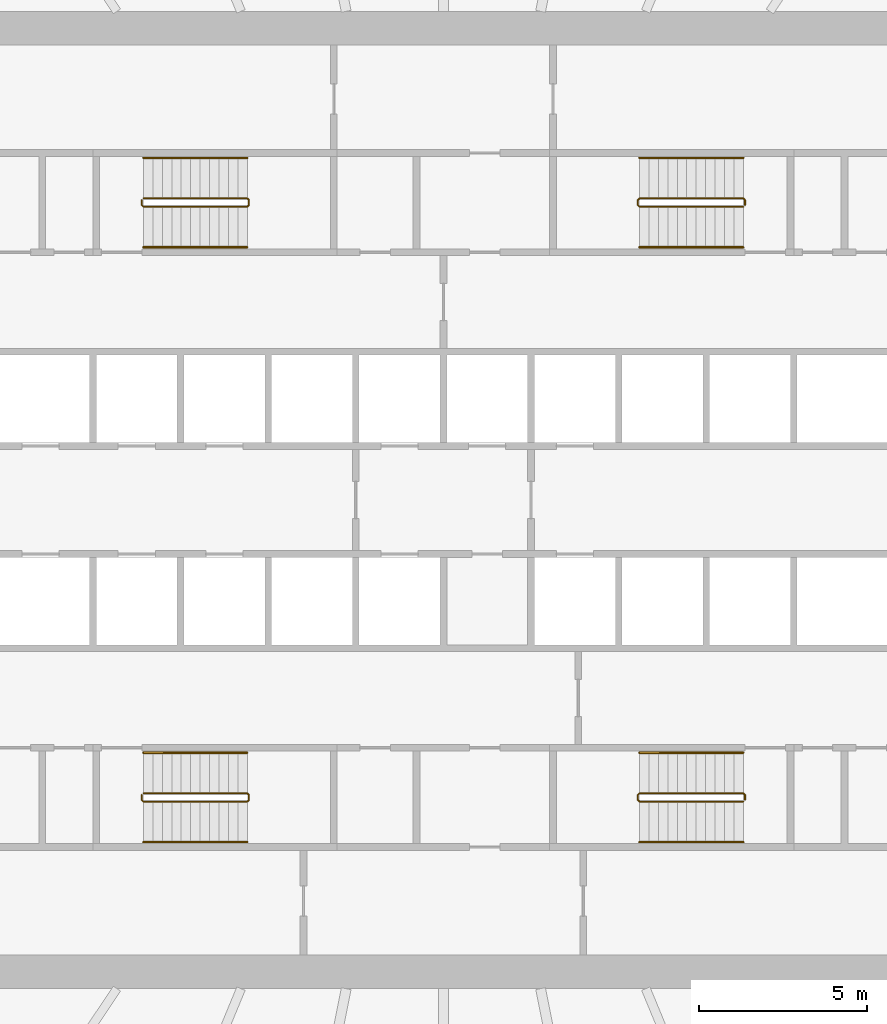
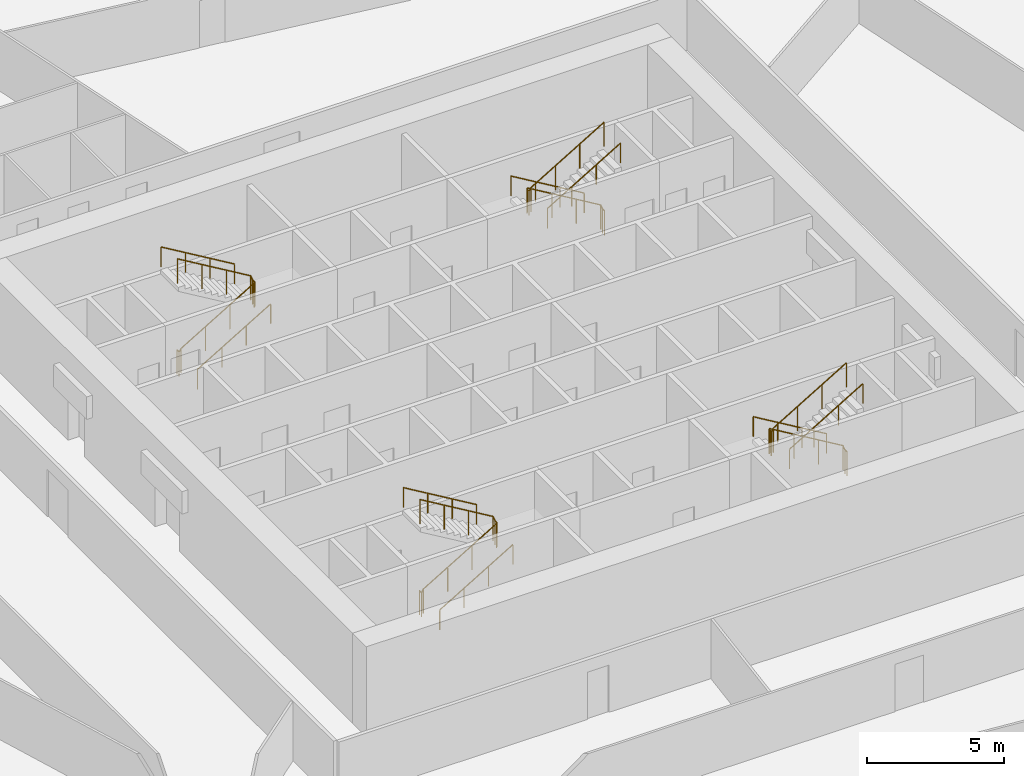
# One storey, part 8 of 8: 12 railings.
"""IFC4 building model written with IfcOpenShell, lengths in metres."""

from ifc_helpers import new_model, si_unit, direction, frame, origin, origin_2d, place, context, subcontext, project, spatial, circle, extrude, material, type_object, element, save


model = new_model("IFC4")

# Units and contexts
model_context = context("Model", 3, precision=1e-05, world=origin(), true_north=direction((0.0, 1.0)))
body_context = subcontext(model_context, "Body", "Model", "MODEL_VIEW")
ifc_project = project(units=[si_unit("LENGTHUNIT", "METRE"), si_unit("AREAUNIT", "SQUARE_METRE"), si_unit("VOLUMEUNIT", "CUBIC_METRE"), si_unit("PLANEANGLEUNIT", "RADIAN"), si_unit("MASSUNIT", "GRAM", prefix="KILO")], contexts=[model_context])

# Site, building, storey
site_placement = place(None, origin())
site = spatial("IfcSite", under=ifc_project, at=site_placement, CompositionType="ELEMENT")
building_placement = place(site_placement, origin())
building = spatial("IfcBuilding", under=site, at=building_placement, Name="Corvane Civic Tower", CompositionType="ELEMENT")
storey_placement = place(building_placement, frame((0.0, 0.0, 134.5)))
storey = spatial("IfcBuildingStorey", under=building, at=storey_placement, Name="L31", CompositionType="ELEMENT", Elevation=134.5)

# Railings
ifc_material_1 = material(Name="Steel ASTM A572 Gr 50", Category="steel")
railing_type_1 = type_object("IfcRailingType", Name="ST-GUARD-1100", PredefinedType="GUARDRAIL", material=ifc_material_1)
railing_1_placement = place(storey_placement, frame((8.949951171875, 8.75, 0.0)))
element("IfcRailing", 1, at=railing_1_placement, inside=storey, type_object=railing_type_1, Name="L31 ST1 stair guard 1", PredefinedType="GUARDRAIL", context=body_context, shape_type="SweptSolid", body=[
    extrude(circle(Radius=0.02392578125, at=origin_2d()), frame((0.0, 0.0, 1.076171875), z_axis=(0.0, 1.0, 0.0), x_axis=(-1.0, 0.0, 0.0)), (0.0, 0.0, 1.0), 0.14990234375),
    extrude(circle(Radius=0.02392578125, at=origin_2d()), frame((0.0, 0.14990234375, 1.076171875), z_axis=(-0.27628659633, 0.27628659633, 0.920506074601), x_axis=(-0.707106781187, -0.707106781187, 0.0)), (0.0, 0.0, 1.0), 0.18115234375),
    extrude(circle(Radius=0.02392578125, at=origin_2d()), frame((-0.050048828125, 0.199951171875, 1.24267578125), z_axis=(-0.859290745958, 0.0, 0.51148745235), x_axis=(0.0, -1.0, 0.0)), (0.0, 0.0, 1.0), 3.584228515625),
    extrude(circle(Radius=0.02392578125, at=origin_2d()), frame((-3.1298828125, 0.199951171875, 3.076171875), z_axis=(-0.707106781187, -0.707106781187, 0.0), x_axis=(0.707106781187, -0.707106781187, 0.0)), (0.0, 0.0, 1.0), 0.07080078125),
    extrude(circle(Radius=0.02392578125, at=origin_2d()), frame((-3.179931640625, 0.14990234375, 3.076171875), z_axis=(0.0, -1.0, 0.0), x_axis=(1.0, 0.0, 0.0)), (0.0, 0.0, 1.0), 0.14990234375),
    extrude(circle(Radius=0.02392578125, at=origin_2d()), frame((-3.179931640625, 0.0, 3.076171875), z_axis=(0.27628659633, -0.27628659633, 0.920506074601), x_axis=(0.707106781187, 0.707106781187, 0.0)), (0.0, 0.0, 1.0), 0.18115234375),
    extrude(circle(Radius=0.02392578125, at=origin_2d()), frame((-3.1298828125, -0.050048828125, 3.24267578125), z_axis=(0.859290745958, 0.0, 0.51148745235), x_axis=(0.0, 1.0, 0.0)), (0.0, 0.0, 1.0), 3.584228515625),
    extrude(circle(Radius=0.02099609375, at=origin_2d()), origin(), (0.0, 0.0, 1.0), 1.052001953125),
    extrude(circle(Radius=0.02099609375, at=origin_2d()), frame((0.0, 0.14990234375, 0.0)), (0.0, 0.0, 1.0), 1.052001953125),
    extrude(circle(Radius=0.02099609375, at=origin_2d()), frame((-0.050048828125, 0.199951171875, 0.166748046875)), (0.0, 0.0, 1.0), 1.052001953125),
    extrude(circle(Radius=0.02099609375, at=origin_2d()), frame((-1.07666015625, 0.199951171875, 0.77783203125)), (0.0, 0.0, 1.0), 1.052001953125),
    extrude(circle(Radius=0.02099609375, at=origin_2d()), frame((-2.103271484375, 0.199951171875, 1.388916015625)), (0.0, 0.0, 1.0), 1.052001953125),
    extrude(circle(Radius=0.02099609375, at=origin_2d()), frame((-3.1298828125, 0.199951171875, 2.0)), (0.0, 0.0, 1.0), 1.052001953125),
    extrude(circle(Radius=0.02099609375, at=origin_2d()), frame((-3.179931640625, 0.14990234375, 2.0)), (0.0, 0.0, 1.0), 1.052001953125),
    extrude(circle(Radius=0.02099609375, at=origin_2d()), frame((-3.179931640625, 0.0, 2.0)), (0.0, 0.0, 1.0), 1.052001953125),
    extrude(circle(Radius=0.02099609375, at=origin_2d()), frame((-3.1298828125, -0.050048828125, 2.166748046875)), (0.0, 0.0, 1.0), 1.052001953125),
    extrude(circle(Radius=0.02099609375, at=origin_2d()), frame((-2.103271484375, -0.050048828125, 2.77783203125)), (0.0, 0.0, 1.0), 1.052001953125),
    extrude(circle(Radius=0.02099609375, at=origin_2d()), frame((-1.07666015625, -0.050048828125, 3.388916015625)), (0.0, 0.0, 1.0), 1.052001953125),
    extrude(circle(Radius=0.02099609375, at=origin_2d()), frame((-0.050048828125, -0.050048828125, 4.0)), (0.0, 0.0, 1.0), 1.052001953125),
])
railing_2_placement = place(storey_placement, frame((8.949951171875, -8.89990234375, 0.0)))
element("IfcRailing", 2, at=railing_2_placement, inside=storey, type_object=railing_type_1, Name="L31 ST2 stair guard 1", PredefinedType="GUARDRAIL", context=body_context, shape_type="SweptSolid", body=[
    extrude(circle(Radius=0.02392578125, at=origin_2d()), frame((0.0, 0.0, 1.076171875), z_axis=(0.0, 1.0, 0.0), x_axis=(-1.0, 0.0, 0.0)), (0.0, 0.0, 1.0), 0.14990234375),
    extrude(circle(Radius=0.02392578125, at=origin_2d()), frame((0.0, 0.14990234375, 1.076171875), z_axis=(-0.27628659633, 0.27628659633, 0.920506074601), x_axis=(-0.707106781187, -0.707106781187, 0.0)), (0.0, 0.0, 1.0), 0.18115234375),
    extrude(circle(Radius=0.02392578125, at=origin_2d()), frame((-0.050048828125, 0.199951171875, 1.24267578125), z_axis=(-0.859290745958, 0.0, 0.51148745235), x_axis=(0.0, -1.0, 0.0)), (0.0, 0.0, 1.0), 3.584228515625),
    extrude(circle(Radius=0.02392578125, at=origin_2d()), frame((-3.1298828125, 0.199951171875, 3.076171875), z_axis=(-0.707106781187, -0.707106781187, 0.0), x_axis=(0.707106781187, -0.707106781187, 0.0)), (0.0, 0.0, 1.0), 0.07080078125),
    extrude(circle(Radius=0.02392578125, at=origin_2d()), frame((-3.179931640625, 0.14990234375, 3.076171875), z_axis=(0.0, -1.0, 0.0), x_axis=(1.0, 0.0, 0.0)), (0.0, 0.0, 1.0), 0.14990234375),
    extrude(circle(Radius=0.02392578125, at=origin_2d()), frame((-3.179931640625, 0.0, 3.076171875), z_axis=(0.27628659633, -0.27628659633, 0.920506074601), x_axis=(0.707106781187, 0.707106781187, 0.0)), (0.0, 0.0, 1.0), 0.18115234375),
    extrude(circle(Radius=0.02392578125, at=origin_2d()), frame((-3.1298828125, -0.050048828125, 3.24267578125), z_axis=(0.859290745958, 0.0, 0.51148745235), x_axis=(0.0, 1.0, 0.0)), (0.0, 0.0, 1.0), 3.584228515625),
    extrude(circle(Radius=0.02099609375, at=origin_2d()), origin(), (0.0, 0.0, 1.0), 1.052001953125),
    extrude(circle(Radius=0.02099609375, at=origin_2d()), frame((0.0, 0.14990234375, 0.0)), (0.0, 0.0, 1.0), 1.052001953125),
    extrude(circle(Radius=0.02099609375, at=origin_2d()), frame((-0.050048828125, 0.199951171875, 0.166748046875)), (0.0, 0.0, 1.0), 1.052001953125),
    extrude(circle(Radius=0.02099609375, at=origin_2d()), frame((-1.07666015625, 0.199951171875, 0.77783203125)), (0.0, 0.0, 1.0), 1.052001953125),
    extrude(circle(Radius=0.02099609375, at=origin_2d()), frame((-2.103271484375, 0.199951171875, 1.388916015625)), (0.0, 0.0, 1.0), 1.052001953125),
    extrude(circle(Radius=0.02099609375, at=origin_2d()), frame((-3.1298828125, 0.199951171875, 2.0)), (0.0, 0.0, 1.0), 1.052001953125),
    extrude(circle(Radius=0.02099609375, at=origin_2d()), frame((-3.179931640625, 0.14990234375, 2.0)), (0.0, 0.0, 1.0), 1.052001953125),
    extrude(circle(Radius=0.02099609375, at=origin_2d()), frame((-3.179931640625, 0.0, 2.0)), (0.0, 0.0, 1.0), 1.052001953125),
    extrude(circle(Radius=0.02099609375, at=origin_2d()), frame((-3.1298828125, -0.050048828125, 2.166748046875)), (0.0, 0.0, 1.0), 1.052001953125),
    extrude(circle(Radius=0.02099609375, at=origin_2d()), frame((-2.103271484375, -0.050048828125, 2.77783203125)), (0.0, 0.0, 1.0), 1.052001953125),
    extrude(circle(Radius=0.02099609375, at=origin_2d()), frame((-1.07666015625, -0.050048828125, 3.388916015625)), (0.0, 0.0, 1.0), 1.052001953125),
    extrude(circle(Radius=0.02099609375, at=origin_2d()), frame((-0.050048828125, -0.050048828125, 4.0)), (0.0, 0.0, 1.0), 1.052001953125),
])
railing_3_placement = place(storey_placement, frame((-8.949951171875, -8.75, 0.0)))
element("IfcRailing", 3, at=railing_3_placement, inside=storey, type_object=railing_type_1, Name="L31 ST3 stair guard 1", PredefinedType="GUARDRAIL", context=body_context, shape_type="SweptSolid", body=[
    extrude(circle(Radius=0.02392578125, at=origin_2d()), frame((0.0, 0.0, 1.076171875), z_axis=(0.0, -1.0, 0.0), x_axis=(1.0, 0.0, 0.0)), (0.0, 0.0, 1.0), 0.14990234375),
    extrude(circle(Radius=0.02392578125, at=origin_2d()), frame((0.0, -0.14990234375, 1.076171875), z_axis=(0.27628659633, -0.27628659633, 0.920506074601), x_axis=(0.707106781187, 0.707106781187, 0.0)), (0.0, 0.0, 1.0), 0.18115234375),
    extrude(circle(Radius=0.02392578125, at=origin_2d()), frame((0.050048828125, -0.199951171875, 1.24267578125), z_axis=(0.859290745958, 0.0, 0.51148745235), x_axis=(0.0, 1.0, 0.0)), (0.0, 0.0, 1.0), 3.584228515625),
    extrude(circle(Radius=0.02392578125, at=origin_2d()), frame((3.1298828125, -0.199951171875, 3.076171875), z_axis=(0.707106781187, 0.707106781187, 0.0), x_axis=(-0.707106781187, 0.707106781187, 0.0)), (0.0, 0.0, 1.0), 0.07080078125),
    extrude(circle(Radius=0.02392578125, at=origin_2d()), frame((3.179931640625, -0.14990234375, 3.076171875), z_axis=(0.0, 1.0, 0.0), x_axis=(-1.0, 0.0, 0.0)), (0.0, 0.0, 1.0), 0.14990234375),
    extrude(circle(Radius=0.02392578125, at=origin_2d()), frame((3.179931640625, 0.0, 3.076171875), z_axis=(-0.27628659633, 0.27628659633, 0.920506074601), x_axis=(-0.707106781187, -0.707106781187, 0.0)), (0.0, 0.0, 1.0), 0.18115234375),
    extrude(circle(Radius=0.02392578125, at=origin_2d()), frame((3.1298828125, 0.050048828125, 3.24267578125), z_axis=(-0.859290745958, 0.0, 0.51148745235), x_axis=(0.0, -1.0, 0.0)), (0.0, 0.0, 1.0), 3.584228515625),
    extrude(circle(Radius=0.02099609375, at=origin_2d()), origin(), (0.0, 0.0, 1.0), 1.052001953125),
    extrude(circle(Radius=0.02099609375, at=origin_2d()), frame((0.0, -0.14990234375, 0.0)), (0.0, 0.0, 1.0), 1.052001953125),
    extrude(circle(Radius=0.02099609375, at=origin_2d()), frame((0.050048828125, -0.199951171875, 0.166748046875)), (0.0, 0.0, 1.0), 1.052001953125),
    extrude(circle(Radius=0.02099609375, at=origin_2d()), frame((1.07666015625, -0.199951171875, 0.77783203125)), (0.0, 0.0, 1.0), 1.052001953125),
    extrude(circle(Radius=0.02099609375, at=origin_2d()), frame((2.103271484375, -0.199951171875, 1.388916015625)), (0.0, 0.0, 1.0), 1.052001953125),
    extrude(circle(Radius=0.02099609375, at=origin_2d()), frame((3.1298828125, -0.199951171875, 2.0)), (0.0, 0.0, 1.0), 1.052001953125),
    extrude(circle(Radius=0.02099609375, at=origin_2d()), frame((3.179931640625, -0.14990234375, 2.0)), (0.0, 0.0, 1.0), 1.052001953125),
    extrude(circle(Radius=0.02099609375, at=origin_2d()), frame((3.179931640625, 0.0, 2.0)), (0.0, 0.0, 1.0), 1.052001953125),
    extrude(circle(Radius=0.02099609375, at=origin_2d()), frame((3.1298828125, 0.050048828125, 2.166748046875)), (0.0, 0.0, 1.0), 1.052001953125),
    extrude(circle(Radius=0.02099609375, at=origin_2d()), frame((2.103271484375, 0.050048828125, 2.77783203125)), (0.0, 0.0, 1.0), 1.052001953125),
    extrude(circle(Radius=0.02099609375, at=origin_2d()), frame((1.07666015625, 0.050048828125, 3.388916015625)), (0.0, 0.0, 1.0), 1.052001953125),
    extrude(circle(Radius=0.02099609375, at=origin_2d()), frame((0.050048828125, 0.050048828125, 4.0)), (0.0, 0.0, 1.0), 1.052001953125),
])
railing_4_placement = place(storey_placement, frame((-8.949951171875, 8.89990234375, 0.0)))
element("IfcRailing", 4, at=railing_4_placement, inside=storey, type_object=railing_type_1, Name="L31 ST4 stair guard 1", PredefinedType="GUARDRAIL", context=body_context, shape_type="SweptSolid", body=[
    extrude(circle(Radius=0.02392578125, at=origin_2d()), frame((0.0, 0.0, 1.076171875), z_axis=(0.0, -1.0, 0.0), x_axis=(1.0, 0.0, 0.0)), (0.0, 0.0, 1.0), 0.14990234375),
    extrude(circle(Radius=0.02392578125, at=origin_2d()), frame((0.0, -0.14990234375, 1.076171875), z_axis=(0.27628659633, -0.27628659633, 0.920506074601), x_axis=(0.707106781187, 0.707106781187, 0.0)), (0.0, 0.0, 1.0), 0.18115234375),
    extrude(circle(Radius=0.02392578125, at=origin_2d()), frame((0.050048828125, -0.199951171875, 1.24267578125), z_axis=(0.859290745958, 0.0, 0.51148745235), x_axis=(0.0, 1.0, 0.0)), (0.0, 0.0, 1.0), 3.584228515625),
    extrude(circle(Radius=0.02392578125, at=origin_2d()), frame((3.1298828125, -0.199951171875, 3.076171875), z_axis=(0.707106781187, 0.707106781187, 0.0), x_axis=(-0.707106781187, 0.707106781187, 0.0)), (0.0, 0.0, 1.0), 0.07080078125),
    extrude(circle(Radius=0.02392578125, at=origin_2d()), frame((3.179931640625, -0.14990234375, 3.076171875), z_axis=(0.0, 1.0, 0.0), x_axis=(-1.0, 0.0, 0.0)), (0.0, 0.0, 1.0), 0.14990234375),
    extrude(circle(Radius=0.02392578125, at=origin_2d()), frame((3.179931640625, 0.0, 3.076171875), z_axis=(-0.27628659633, 0.27628659633, 0.920506074601), x_axis=(-0.707106781187, -0.707106781187, 0.0)), (0.0, 0.0, 1.0), 0.18115234375),
    extrude(circle(Radius=0.02392578125, at=origin_2d()), frame((3.1298828125, 0.050048828125, 3.24267578125), z_axis=(-0.859290745958, 0.0, 0.51148745235), x_axis=(0.0, -1.0, 0.0)), (0.0, 0.0, 1.0), 3.584228515625),
    extrude(circle(Radius=0.02099609375, at=origin_2d()), origin(), (0.0, 0.0, 1.0), 1.052001953125),
    extrude(circle(Radius=0.02099609375, at=origin_2d()), frame((0.0, -0.14990234375, 0.0)), (0.0, 0.0, 1.0), 1.052001953125),
    extrude(circle(Radius=0.02099609375, at=origin_2d()), frame((0.050048828125, -0.199951171875, 0.166748046875)), (0.0, 0.0, 1.0), 1.052001953125),
    extrude(circle(Radius=0.02099609375, at=origin_2d()), frame((1.07666015625, -0.199951171875, 0.77783203125)), (0.0, 0.0, 1.0), 1.052001953125),
    extrude(circle(Radius=0.02099609375, at=origin_2d()), frame((2.103271484375, -0.199951171875, 1.388916015625)), (0.0, 0.0, 1.0), 1.052001953125),
    extrude(circle(Radius=0.02099609375, at=origin_2d()), frame((3.1298828125, -0.199951171875, 2.0)), (0.0, 0.0, 1.0), 1.052001953125),
    extrude(circle(Radius=0.02099609375, at=origin_2d()), frame((3.179931640625, -0.14990234375, 2.0)), (0.0, 0.0, 1.0), 1.052001953125),
    extrude(circle(Radius=0.02099609375, at=origin_2d()), frame((3.179931640625, 0.0, 2.0)), (0.0, 0.0, 1.0), 1.052001953125),
    extrude(circle(Radius=0.02099609375, at=origin_2d()), frame((3.1298828125, 0.050048828125, 2.166748046875)), (0.0, 0.0, 1.0), 1.052001953125),
    extrude(circle(Radius=0.02099609375, at=origin_2d()), frame((2.103271484375, 0.050048828125, 2.77783203125)), (0.0, 0.0, 1.0), 1.052001953125),
    extrude(circle(Radius=0.02099609375, at=origin_2d()), frame((1.07666015625, 0.050048828125, 3.388916015625)), (0.0, 0.0, 1.0), 1.052001953125),
    extrude(circle(Radius=0.02099609375, at=origin_2d()), frame((0.050048828125, 0.050048828125, 4.0)), (0.0, 0.0, 1.0), 1.052001953125),
])
ifc_material_2 = material(Name="Steel ASTM A572 Gr 50", Category="steel")
railing_type_2 = type_object("IfcRailingType", Name="ST-HANDRAIL-900", PredefinedType="HANDRAIL", material=ifc_material_2)
railing_5_placement = place(storey_placement, frame((8.89990234375, 10.14990234375, 0.166748046875)))
element("IfcRailing", 5, at=railing_5_placement, inside=storey, type_object=railing_type_2, Name="L31 ST1 stair handrail 1", PredefinedType="HANDRAIL", context=body_context, shape_type="SweptSolid", body=[
    extrude(circle(Radius=0.02392578125, at=origin_2d()), frame((0.0, 0.0, 0.8759765625), z_axis=(-0.859290745958, 0.0, 0.51148745235), x_axis=(0.0, -1.0, 0.0)), (0.0, 0.0, 1.0), 3.584228515625),
    extrude(circle(Radius=0.02099609375, at=origin_2d()), origin(), (0.0, 0.0, 1.0), 0.851806640625),
    extrude(circle(Radius=0.02099609375, at=origin_2d()), frame((-1.026611328125, 0.0, 0.611083984375)), (0.0, 0.0, 1.0), 0.851806640625),
    extrude(circle(Radius=0.02099609375, at=origin_2d()), frame((-2.05322265625, 0.0, 1.22216796875)), (0.0, 0.0, 1.0), 0.851806640625),
    extrude(circle(Radius=0.02099609375, at=origin_2d()), frame((-3.079833984375, 0.0, 1.833251953125)), (0.0, 0.0, 1.0), 0.851806640625),
])
railing_6_placement = place(storey_placement, frame((5.820068359375, 7.5, 2.166748046875)))
element("IfcRailing", 6, at=railing_6_placement, inside=storey, type_object=railing_type_2, Name="L31 ST1 stair handrail 2", PredefinedType="HANDRAIL", context=body_context, shape_type="SweptSolid", body=[
    extrude(circle(Radius=0.02392578125, at=origin_2d()), frame((0.0, 0.0, 0.8759765625), z_axis=(0.859290745958, 0.0, 0.51148745235), x_axis=(0.0, 1.0, 0.0)), (0.0, 0.0, 1.0), 3.584228515625),
    extrude(circle(Radius=0.02099609375, at=origin_2d()), origin(), (0.0, 0.0, 1.0), 0.851806640625),
    extrude(circle(Radius=0.02099609375, at=origin_2d()), frame((1.026611328125, 0.0, 0.611083984375)), (0.0, 0.0, 1.0), 0.851806640625),
    extrude(circle(Radius=0.02099609375, at=origin_2d()), frame((2.05322265625, 0.0, 1.22216796875)), (0.0, 0.0, 1.0), 0.851806640625),
    extrude(circle(Radius=0.02099609375, at=origin_2d()), frame((3.079833984375, 0.0, 1.833251953125)), (0.0, 0.0, 1.0), 0.851806640625),
])
railing_7_placement = place(storey_placement, frame((8.89990234375, -7.5, 0.166748046875)))
element("IfcRailing", 7, at=railing_7_placement, inside=storey, type_object=railing_type_2, Name="L31 ST2 stair handrail 1", PredefinedType="HANDRAIL", context=body_context, shape_type="SweptSolid", body=[
    extrude(circle(Radius=0.02392578125, at=origin_2d()), frame((0.0, 0.0, 0.8759765625), z_axis=(-0.859290745958, 0.0, 0.51148745235), x_axis=(0.0, -1.0, 0.0)), (0.0, 0.0, 1.0), 3.584228515625),
    extrude(circle(Radius=0.02099609375, at=origin_2d()), origin(), (0.0, 0.0, 1.0), 0.851806640625),
    extrude(circle(Radius=0.02099609375, at=origin_2d()), frame((-1.026611328125, 0.0, 0.611083984375)), (0.0, 0.0, 1.0), 0.851806640625),
    extrude(circle(Radius=0.02099609375, at=origin_2d()), frame((-2.05322265625, 0.0, 1.22216796875)), (0.0, 0.0, 1.0), 0.851806640625),
    extrude(circle(Radius=0.02099609375, at=origin_2d()), frame((-3.079833984375, 0.0, 1.833251953125)), (0.0, 0.0, 1.0), 0.851806640625),
])
for number, where, name in (
    (8, (5.820068359375, -10.14990234375, 2.166748046875), "L31 ST2 stair handrail 2"),
    (9, (-8.89990234375, -10.14990234375, 0.166748046875), "L31 ST3 stair handrail 1"),
):
    element("IfcRailing", number, at=place(storey_placement, frame(where)), inside=storey, type_object=railing_type_2, Name=name, PredefinedType="HANDRAIL", context=body_context, shape_type="SweptSolid", body=[
        extrude(circle(Radius=0.02392578125, at=origin_2d()), frame((0.0, 0.0, 0.8759765625), z_axis=(0.859290745958, 0.0, 0.51148745235), x_axis=(0.0, 1.0, 0.0)), (0.0, 0.0, 1.0), 3.584228515625),
        extrude(circle(Radius=0.02099609375, at=origin_2d()), origin(), (0.0, 0.0, 1.0), 0.851806640625),
        extrude(circle(Radius=0.02099609375, at=origin_2d()), frame((1.026611328125, 0.0, 0.611083984375)), (0.0, 0.0, 1.0), 0.851806640625),
        extrude(circle(Radius=0.02099609375, at=origin_2d()), frame((2.05322265625, 0.0, 1.22216796875)), (0.0, 0.0, 1.0), 0.851806640625),
        extrude(circle(Radius=0.02099609375, at=origin_2d()), frame((3.079833984375, 0.0, 1.833251953125)), (0.0, 0.0, 1.0), 0.851806640625),
    ])
railing_8_placement = place(storey_placement, frame((-5.820068359375, -7.5, 2.166748046875)))
element("IfcRailing", 10, at=railing_8_placement, inside=storey, type_object=railing_type_2, Name="L31 ST3 stair handrail 2", PredefinedType="HANDRAIL", context=body_context, shape_type="SweptSolid", body=[
    extrude(circle(Radius=0.02392578125, at=origin_2d()), frame((0.0, 0.0, 0.8759765625), z_axis=(-0.859290745958, 0.0, 0.51148745235), x_axis=(0.0, -1.0, 0.0)), (0.0, 0.0, 1.0), 3.584228515625),
    extrude(circle(Radius=0.02099609375, at=origin_2d()), origin(), (0.0, 0.0, 1.0), 0.851806640625),
    extrude(circle(Radius=0.02099609375, at=origin_2d()), frame((-1.026611328125, 0.0, 0.611083984375)), (0.0, 0.0, 1.0), 0.851806640625),
    extrude(circle(Radius=0.02099609375, at=origin_2d()), frame((-2.05322265625, 0.0, 1.22216796875)), (0.0, 0.0, 1.0), 0.851806640625),
    extrude(circle(Radius=0.02099609375, at=origin_2d()), frame((-3.079833984375, 0.0, 1.833251953125)), (0.0, 0.0, 1.0), 0.851806640625),
])
railing_9_placement = place(storey_placement, frame((-8.89990234375, 7.5, 0.166748046875)))
element("IfcRailing", 11, at=railing_9_placement, inside=storey, type_object=railing_type_2, Name="L31 ST4 stair handrail 1", PredefinedType="HANDRAIL", context=body_context, shape_type="SweptSolid", body=[
    extrude(circle(Radius=0.02392578125, at=origin_2d()), frame((0.0, 0.0, 0.8759765625), z_axis=(0.859290745958, 0.0, 0.51148745235), x_axis=(0.0, 1.0, 0.0)), (0.0, 0.0, 1.0), 3.584228515625),
    extrude(circle(Radius=0.02099609375, at=origin_2d()), origin(), (0.0, 0.0, 1.0), 0.851806640625),
    extrude(circle(Radius=0.02099609375, at=origin_2d()), frame((1.026611328125, 0.0, 0.611083984375)), (0.0, 0.0, 1.0), 0.851806640625),
    extrude(circle(Radius=0.02099609375, at=origin_2d()), frame((2.05322265625, 0.0, 1.22216796875)), (0.0, 0.0, 1.0), 0.851806640625),
    extrude(circle(Radius=0.02099609375, at=origin_2d()), frame((3.079833984375, 0.0, 1.833251953125)), (0.0, 0.0, 1.0), 0.851806640625),
])
railing_10_placement = place(storey_placement, frame((-5.820068359375, 10.14990234375, 2.166748046875)))
element("IfcRailing", 12, at=railing_10_placement, inside=storey, type_object=railing_type_2, Name="L31 ST4 stair handrail 2", PredefinedType="HANDRAIL", context=body_context, shape_type="SweptSolid", body=[
    extrude(circle(Radius=0.02392578125, at=origin_2d()), frame((0.0, 0.0, 0.8759765625), z_axis=(-0.859290745958, 0.0, 0.51148745235), x_axis=(0.0, -1.0, 0.0)), (0.0, 0.0, 1.0), 3.584228515625),
    extrude(circle(Radius=0.02099609375, at=origin_2d()), origin(), (0.0, 0.0, 1.0), 0.851806640625),
    extrude(circle(Radius=0.02099609375, at=origin_2d()), frame((-1.026611328125, 0.0, 0.611083984375)), (0.0, 0.0, 1.0), 0.851806640625),
    extrude(circle(Radius=0.02099609375, at=origin_2d()), frame((-2.05322265625, 0.0, 1.22216796875)), (0.0, 0.0, 1.0), 0.851806640625),
    extrude(circle(Radius=0.02099609375, at=origin_2d()), frame((-3.079833984375, 0.0, 1.833251953125)), (0.0, 0.0, 1.0), 0.851806640625),
])

save(model, "model.ifc")
